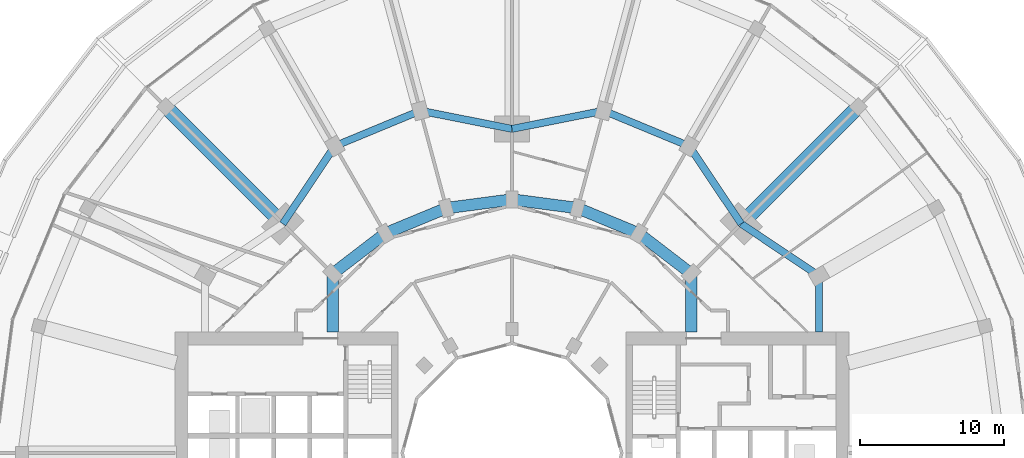
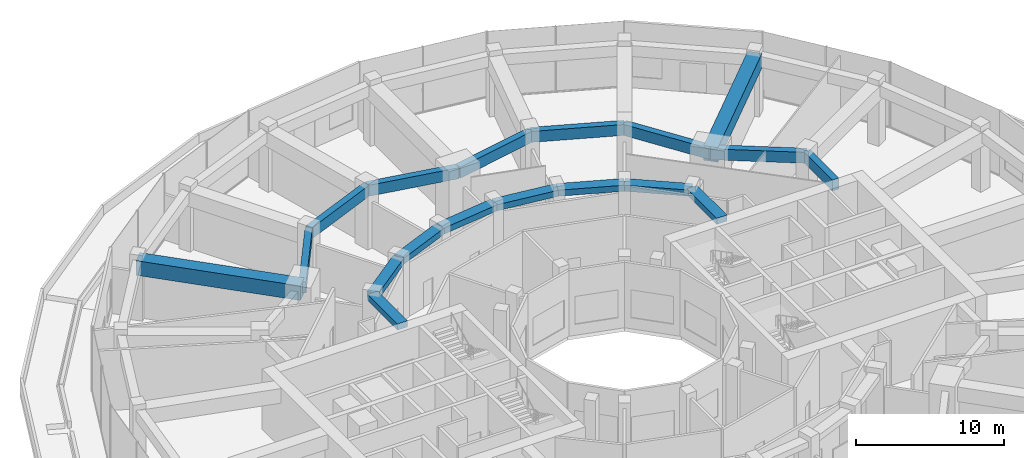
# One storey, part 9 of 26: 18 beams.
"""IFC4 building model written with IfcOpenShell, lengths in metres."""

from ifc_helpers import new_model, si_unit, direction, frame, origin, origin_2d, place, context, subcontext, project, spatial, rectangle, extrude, material, material_profile, profile_set, type_object, element, save


model = new_model("IFC4")

# Units and contexts
model_context = context("Model", 3, precision=1e-05, world=origin(), true_north=direction((0.0, 1.0)))
body_context = subcontext(model_context, "Body", "Model", "MODEL_VIEW")
ifc_project = project(units=[si_unit("LENGTHUNIT", "METRE"), si_unit("AREAUNIT", "SQUARE_METRE"), si_unit("VOLUMEUNIT", "CUBIC_METRE"), si_unit("PLANEANGLEUNIT", "RADIAN"), si_unit("MASSUNIT", "GRAM", prefix="KILO")], contexts=[model_context])

# Site, building, storey
site_placement = place(None, origin())
site = spatial("IfcSite", under=ifc_project, at=site_placement, CompositionType="ELEMENT")
building_placement = place(site_placement, origin())
building = spatial("IfcBuilding", under=site, at=building_placement, Name="Torre Brocal", CompositionType="ELEMENT")
storey_placement = place(building_placement, frame((0.0, 0.0, 12.39990234375)))
storey = spatial("IfcBuildingStorey", under=building, at=storey_placement, Name="L02", CompositionType="ELEMENT", Elevation=12.39990234375)

# Beams
ifc_material_1 = material(Name="Concrete C50", Category="concrete")
ifc_material_profile_1 = material_profile(ifc_material_1, rectangle(XDim=0.800048828125, YDim=0.5, at=origin_2d()), Name="RC 800X500")
ifc_profile_set_1 = profile_set([ifc_material_profile_1], Name="Concrete C50")
beam_type_1 = type_object("IfcBeamType", Name="RC BEAM 800X500 C50 TOP 4950", PredefinedType="BEAM", material=ifc_profile_set_1)
beam_1_placement = place(storey_placement, frame((92.445068359375, 87.445068359375, 4.7001953125), z_axis=(-0.793358265959, 0.6087550097, 0.0), x_axis=(-0.6087550097, -0.793358265959, 0.0)))
element("IfcBeam", 1, at=beam_1_placement, inside=storey, type_object=beam_type_1, Name="Beam BT-11", PredefinedType="BEAM", context=body_context, shape_type="SweptSolid", body=[
    extrude(rectangle(XDim=0.800048828125, YDim=0.5, at=origin_2d()), origin(), (0.0, 0.0, 1.0), 4.594482421875),
])
beam_2_placement = place(storey_placement, frame((88.800048828125, 90.241943359375, 4.7001953125), z_axis=(-0.923878240166, 0.382686552348, 0.0), x_axis=(-0.382686552348, -0.923878240166, 0.0)))
element("IfcBeam", 2, at=beam_2_placement, inside=storey, type_object=beam_type_1, Name="Beam BT-11", PredefinedType="BEAM", context=body_context, shape_type="SweptSolid", body=[
    extrude(rectangle(XDim=0.800048828125, YDim=0.5, at=origin_2d()), origin(), (0.0, 0.0, 1.0), 4.5947265625),
])
for number, where, z_axis, x_axis, name in (
    (3, (84.55517578125, 92.000244140625, 4.7001953125), (-0.991440544449, 0.130558978332, 0.0), (-0.130558978332, -0.991440544449, 0.0), "Beam BT-11"),
    (4, (80.0, 92.60009765625, 4.7001953125), (-0.991440544449, -0.130558978332, 0.0), (0.130558978332, -0.991440544449, 0.0), "Beam BT-11"),
):
    element("IfcBeam", number, at=place(storey_placement, frame(where, z_axis=z_axis, x_axis=x_axis)), inside=storey, type_object=beam_type_1, Name=name, PredefinedType="BEAM", context=body_context, shape_type="SweptSolid", body=[
        extrude(rectangle(XDim=0.800048828125, YDim=0.5, at=origin_2d()), origin(), (0.0, 0.0, 1.0), 4.594482421875),
    ])
beam_3_placement = place(storey_placement, frame((75.44482421875, 92.000244140625, 4.7001953125), z_axis=(-0.923878240166, -0.382686552348, 0.0), x_axis=(0.382686552348, -0.923878240166, 0.0)))
element("IfcBeam", 5, at=beam_3_placement, inside=storey, type_object=beam_type_1, Name="Beam BT-11", PredefinedType="BEAM", context=body_context, shape_type="SweptSolid", body=[
    extrude(rectangle(XDim=0.800048828125, YDim=0.5, at=origin_2d()), origin(), (0.0, 0.0, 1.0), 4.5947265625),
])
beam_4_placement = place(storey_placement, frame((71.199951171875, 90.241943359375, 4.7001953125), z_axis=(-0.793358265959, -0.6087550097, 0.0), x_axis=(0.6087550097, -0.793358265959, 0.0)))
element("IfcBeam", 6, at=beam_4_placement, inside=storey, type_object=beam_type_1, Name="Beam BT-11", PredefinedType="BEAM", context=body_context, shape_type="SweptSolid", body=[
    extrude(rectangle(XDim=0.800048828125, YDim=0.5, at=origin_2d()), origin(), (0.0, 0.0, 1.0), 4.594482421875),
])
for number, where, z_axis, x_axis, name in (
    (7, (67.554931640625, 87.445068359375, 4.7001953125), (0.0, -1.0, 0.0), (1.0, 0.0, 0.0), "Beam BT-11"),
    (8, (92.445068359375, 87.445068359375, 4.7001953125), (0.0, -1.0, 0.0), (1.0, 0.0, 0.0), "Beam BT-11"),
):
    element("IfcBeam", number, at=place(storey_placement, frame(where, z_axis=z_axis, x_axis=x_axis)), inside=storey, type_object=beam_type_1, Name=name, PredefinedType="BEAM", context=body_context, shape_type="SweptSolid", body=[
        extrude(rectangle(XDim=0.800048828125, YDim=0.5, at=origin_2d()), origin(), (0.0, 0.0, 1.0), 4.045166015625),
    ])
ifc_material_2 = material(Name="Concrete C50", Category="concrete")
ifc_material_profile_2 = material_profile(ifc_material_2, rectangle(XDim=0.5, YDim=0.89990234375, at=origin_2d()), Name="RC 500X900")
ifc_profile_set_2 = profile_set([ifc_material_profile_2], Name="Concrete C50")
beam_type_2 = type_object("IfcBeamType", Name="RC SPANDREL BEAM 500X900 C50 TOP 4950", PredefinedType="SPANDREL", material=ifc_profile_set_2)
for number, where, z_axis, x_axis, name in (
    (9, (101.30419921875, 87.300048828125, 4.5), (-0.831076844476, 0.556157602282, 0.0), (-0.556157602282, -0.831076844476, 0.0), "Beam BT-12"),
    (10, (95.909912109375, 90.909912109375, 4.5), (-0.556157602282, 0.831076844476, 0.0), (-0.831076844476, -0.556157602282, 0.0), "Beam BT-12"),
):
    element("IfcBeam", number, at=place(storey_placement, frame(where, z_axis=z_axis, x_axis=x_axis)), inside=storey, type_object=beam_type_2, Name=name, PredefinedType="SPANDREL", context=body_context, shape_type="SweptSolid", body=[
        extrude(rectangle(XDim=0.5, YDim=0.89990234375, at=origin_2d()), origin(), (0.0, 0.0, 1.0), 6.49072265625),
    ])
beam_5_placement = place(storey_placement, frame((92.300048828125, 96.30419921875, 4.5), z_axis=(-0.923882462513, 0.382676358639, 0.0), x_axis=(-0.382676358639, -0.923882462513, 0.0)))
element("IfcBeam", 11, at=beam_5_placement, inside=storey, type_object=beam_type_2, Name="Beam BT-12", PredefinedType="SPANDREL", context=body_context, shape_type="SweptSolid", body=[
    extrude(rectangle(XDim=0.5, YDim=0.89990234375, at=origin_2d()), origin(), (0.0, 0.0, 1.0), 6.421875),
])
for number, where, z_axis, x_axis, name in (
    (12, (86.366943359375, 98.76171875, 4.5), (-0.980924907484, -0.194387051723, 0.0), (0.194387051723, -0.980924907484, 0.0), "Beam BT-12"),
    (13, (80.0, 97.5, 4.5), (-0.980924907484, 0.194387051723, 0.0), (-0.194387051723, -0.980924907484, 0.0), "Beam BT-12"),
):
    element("IfcBeam", number, at=place(storey_placement, frame(where, z_axis=z_axis, x_axis=x_axis)), inside=storey, type_object=beam_type_2, Name=name, PredefinedType="SPANDREL", context=body_context, shape_type="SweptSolid", body=[
        extrude(rectangle(XDim=0.5, YDim=0.89990234375, at=origin_2d()), origin(), (0.0, 0.0, 1.0), 6.49072265625),
    ])
beam_6_placement = place(storey_placement, frame((73.633056640625, 98.76171875, 4.5), z_axis=(-0.923882462513, -0.382676358639, 0.0), x_axis=(0.382676358639, -0.923882462513, 0.0)))
element("IfcBeam", 14, at=beam_6_placement, inside=storey, type_object=beam_type_2, Name="Beam BT-12", PredefinedType="SPANDREL", context=body_context, shape_type="SweptSolid", body=[
    extrude(rectangle(XDim=0.5, YDim=0.89990234375, at=origin_2d()), origin(), (0.0, 0.0, 1.0), 6.421875),
])
beam_7_placement = place(storey_placement, frame((67.699951171875, 96.30419921875, 4.5), z_axis=(-0.556157602282, -0.831076844476, 0.0), x_axis=(0.831076844476, -0.556157602282, 0.0)))
element("IfcBeam", 15, at=beam_7_placement, inside=storey, type_object=beam_type_2, Name="Beam BT-12", PredefinedType="SPANDREL", context=body_context, shape_type="SweptSolid", body=[
    extrude(rectangle(XDim=0.5, YDim=0.89990234375, at=origin_2d()), origin(), (0.0, 0.0, 1.0), 6.49072265625),
])
beam_8_placement = place(storey_placement, frame((101.30419921875, 87.300048828125, 4.5), z_axis=(0.0, -1.0, 0.0), x_axis=(1.0, 0.0, 0.0)))
element("IfcBeam", 16, at=beam_8_placement, inside=storey, type_object=beam_type_2, Name="Beam BT-12", PredefinedType="SPANDREL", context=body_context, shape_type="SweptSolid", body=[
    extrude(rectangle(XDim=0.5, YDim=0.89990234375, at=origin_2d()), origin(), (0.0, 0.0, 1.0), 3.900146484375),
])
ifc_material_3 = material(Name="Concrete C60", Category="concrete")
ifc_material_profile_3 = material_profile(ifc_material_3, rectangle(XDim=1.0, YDim=1.199951171875, at=origin_2d()), Name="RC 1000X1200")
ifc_profile_set_3 = profile_set([ifc_material_profile_3], Name="Concrete C60")
beam_type_3 = type_object("IfcBeamType", Name="RC TRANSFER GIRDER 1000X1200 C60 TOP 4950", PredefinedType="BEAM", material=ifc_profile_set_3)
for number, where, z_axis, x_axis, name in (
    (17, (64.090087890625, 90.909912109375, 4.35009765625), (-0.707106781187, 0.707106781187, 0.0), (-0.707106781187, -0.707106781187, 0.0), "Beam TG-03"),
    (18, (95.909912109375, 90.909912109375, 4.35009765625), (0.707106781187, 0.707106781187, 0.0), (-0.707106781187, 0.707106781187, 0.0), "Beam TG-03"),
):
    element("IfcBeam", number, at=place(storey_placement, frame(where, z_axis=z_axis, x_axis=x_axis)), inside=storey, type_object=beam_type_3, Name=name, PredefinedType="BEAM", context=body_context, shape_type="SweptSolid", body=[
        extrude(rectangle(XDim=1.0, YDim=1.199951171875, at=origin_2d()), origin(), (0.0, 0.0, 1.0), 11.500244140625),
    ])

save(model, "model.ifc")
